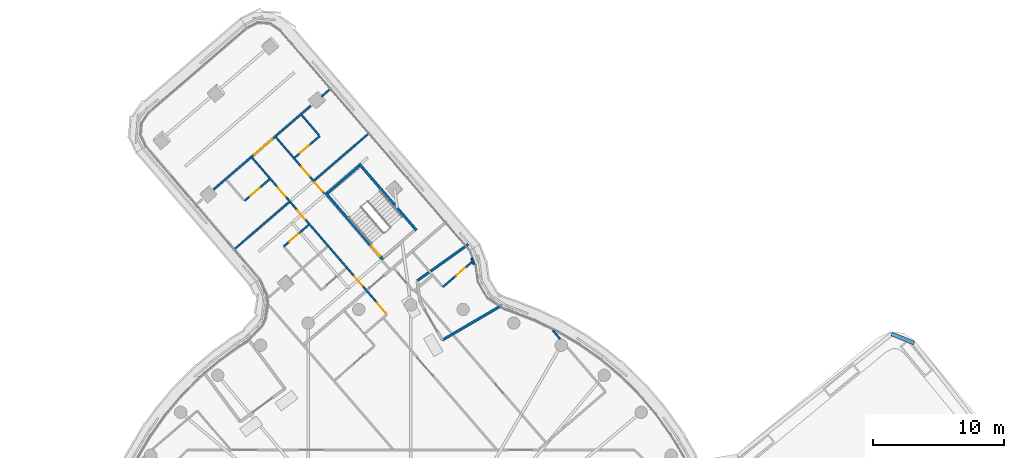
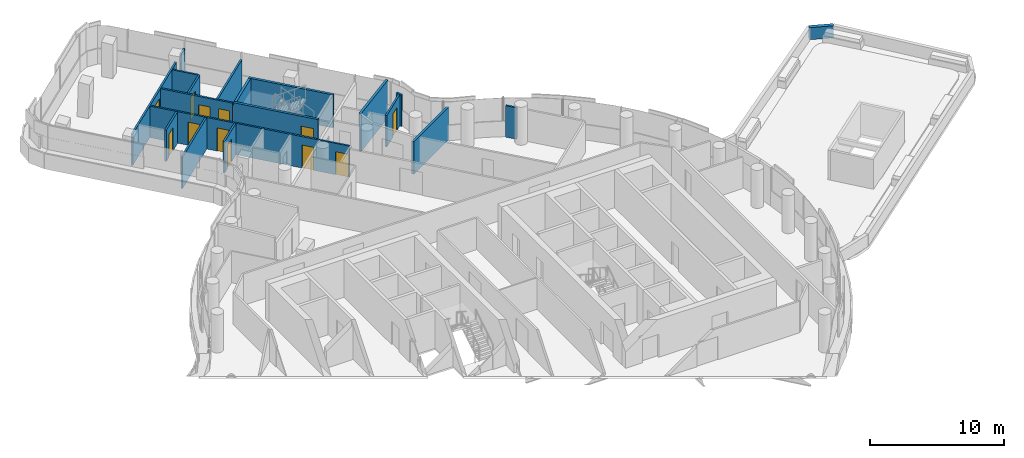
# One storey, part 26 of 34: 19 walls, 12 doors, 12 openings.
"""IFC4 building model written with IfcOpenShell, lengths in metres."""

from ifc_helpers import new_model, si_unit, direction, frame, frame_2d, origin, place, context, subcontext, project, spatial, polyline, rectangle, outline, extrude, material, layer, layer_set, type_object, element, fill, save


model = new_model("IFC4")

# Units and contexts
model_context = context("Model", 3, precision=1e-05, world=origin(), true_north=direction((0.0, 1.0)))
body_context = subcontext(model_context, "Body", "Model", "MODEL_VIEW")
ifc_project = project(units=[si_unit("LENGTHUNIT", "METRE"), si_unit("AREAUNIT", "SQUARE_METRE"), si_unit("VOLUMEUNIT", "CUBIC_METRE"), si_unit("PLANEANGLEUNIT", "RADIAN"), si_unit("MASSUNIT", "GRAM", prefix="KILO")], contexts=[model_context])

# Site, building, storey
site_placement = place(None, origin())
site = spatial("IfcSite", under=ifc_project, at=site_placement, CompositionType="ELEMENT")
building_placement = place(site_placement, origin())
building = spatial("IfcBuilding", under=site, at=building_placement, Name="Tamarind Cross Interchange Tower", CompositionType="ELEMENT")
storey_placement = place(building_placement, frame((0.0, 0.0, 182.5)))
storey = spatial("IfcBuildingStorey", under=building, at=storey_placement, Name="L45", CompositionType="ELEMENT", Elevation=182.5)

# Walls
ifc_material_1 = material(Name="Concrete C40", Category="concrete")
ifc_layer_1 = layer(ifc_material_1, 0.199951171875)
ifc_layer_set_1 = layer_set([ifc_layer_1], Name="Concrete C40")
wall_type_1 = type_object("IfcWallType", Name="Balcony and garden door wall", PredefinedType="SOLIDWALL", material=ifc_layer_set_1)
wall_1_placement = place(storey_placement, frame((2.411376953125, 20.3115234375, 0.0), z_axis=(0.0, 0.0, 1.0), x_axis=(0.863468462435, 0.504402829472, 0.0)))
element("IfcWall", 1, at=wall_1_placement, inside=storey, type_object=wall_type_1, Name="EXW-L45-WG-L45-SNb-R0", PredefinedType="SOLIDWALL", context=body_context, shape_type="SweptSolid", body=[
    extrude(rectangle(XDim=5.251220703125, YDim=0.199951171875, at=frame_2d((2.62548828125, 0.0))), origin(), (0.0, 0.0, 1.0), 2.964111328125),
])
wall_2_placement = place(storey_placement, frame((0.481689453125, 24.84423828125, 0.0), z_axis=(0.0, 0.0, 1.0), x_axis=(0.813929369959, 0.580963837702, 0.0)))
element("IfcWall", 2, at=wall_2_placement, inside=storey, type_object=wall_type_1, Name="EXW-L45-WG-L45-SNb-R2", PredefinedType="SOLIDWALL", context=body_context, shape_type="SweptSolid", body=[
    extrude(rectangle(XDim=4.798583984375, YDim=0.199951171875, at=frame_2d((2.3994140625, 0.0))), origin(), (0.0, 0.0, 1.0), 3.4599609375),
])
ifc_layer_2 = layer(ifc_material_1, 0.300048828125)
ifc_layer_set_2 = layer_set([ifc_layer_2], Name="Concrete C40")
wall_type_2 = type_object("IfcWallType", Name="Parapet upstand", PredefinedType="PARAPET", material=ifc_layer_set_2)
wall_3_placement = place(storey_placement, frame((38.49365234375, 20.086181640625, 0.0), z_axis=(0.0, 0.0, 1.0), x_axis=(-0.927562644804, 0.373667686539, 0.0)))
element("IfcWall", 3, at=wall_3_placement, inside=storey, type_object=wall_type_2, Name="EXW-L45-PRTE0-04", PredefinedType="PARAPET", context=body_context, shape_type="SweptSolid", body=[
    extrude(rectangle(XDim=1.84765625, YDim=0.300048828125, at=frame_2d((0.923828125, 0.0))), origin(), (0.0, 0.0, 1.0), 1.10009765625),
])

# Wall, openings, doors
ifc_material_2 = material(Name="Gypsum board partition on steel studs", Category="steel")
ifc_layer_3 = layer(ifc_material_2, 0.14990234375)
ifc_layer_set_3 = layer_set([ifc_layer_3], Name="Gypsum board partition on steel studs")
wall_type_3 = type_object("IfcWallType", Name="Partition 150 mm EI 120", PredefinedType="PARTITIONING", material=ifc_layer_set_3)
wall_4_placement = place(storey_placement, frame((-12.148681640625, 34.262451171875, 0.0), z_axis=(0.0, 0.0, 1.0), x_axis=(0.652651241908, -0.75765846952, 0.0)))
wall_4 = element("IfcWall", 4, at=wall_4_placement, inside=storey, type_object=wall_type_3, Name="Partition L45-020", PredefinedType="PARTITIONING", context=body_context, shape_type="SweptSolid", body=[
    extrude(rectangle(XDim=15.744873046875, YDim=0.14990234375, at=frame_2d((7.87255859375, 0.0))), origin(), (0.0, 0.0, 1.0), 2.864013671875),
])
opening_1_placement = place(wall_4_placement, frame((14.669921875, 0.0, 0.0)))
opening_1 = element("IfcOpeningElement", 5, at=opening_1_placement, cuts=wall_4, Name="Opening D08", PredefinedType="OPENING", context=body_context, shape_type="SweptSolid", body=[
    extrude(rectangle(XDim=1.0, YDim=2.10009765625, at=frame_2d((0.5, 1.050048828125))), frame((0.0, 0.0849609375, 0.0), z_axis=(0.0, -1.0, 0.0), x_axis=(1.0, 0.0, 0.0)), (0.0, 0.0, 1.0), 0.169921875),
])
opening_2_placement = place(wall_4_placement, frame((12.01953125, 0.0, 0.0)))
opening_2 = element("IfcOpeningElement", 6, at=opening_2_placement, cuts=wall_4, Name="Opening D09", PredefinedType="OPENING", context=body_context, shape_type="SweptSolid", body=[
    extrude(rectangle(XDim=0.89990234375, YDim=2.10009765625, at=frame_2d((0.449951171875, 1.050048828125))), frame((0.0, 0.0849609375, 0.0), z_axis=(0.0, -1.0, 0.0), x_axis=(1.0, 0.0, 0.0)), (0.0, 0.0, 1.0), 0.169921875),
])
opening_3_placement = place(wall_4_placement, frame((5.319580078125, 0.0, 0.0)))
opening_3 = element("IfcOpeningElement", 7, at=opening_3_placement, cuts=wall_4, Name="Opening D10", PredefinedType="OPENING", context=body_context, shape_type="SweptSolid", body=[
    extrude(rectangle(XDim=0.89990234375, YDim=2.10009765625, at=frame_2d((0.449951171875, 1.050048828125))), frame((0.0, 0.0849609375, 0.0), z_axis=(0.0, -1.0, 0.0), x_axis=(1.0, 0.0, 0.0)), (0.0, 0.0, 1.0), 0.169921875),
])
opening_4_placement = place(wall_4_placement, frame((3.020263671875, 0.0, 0.0)))
opening_4 = element("IfcOpeningElement", 8, at=opening_4_placement, cuts=wall_4, Name="Opening D11", PredefinedType="OPENING", context=body_context, shape_type="SweptSolid", body=[
    extrude(rectangle(XDim=0.89990234375, YDim=2.10009765625, at=frame_2d((0.449951171875, 1.050048828125))), frame((0.0, 0.0849609375, 0.0), z_axis=(0.0, -1.0, 0.0), x_axis=(1.0, 0.0, 0.0)), (0.0, 0.0, 1.0), 0.169921875),
])
ifc_material_3 = material(Name="Fire-resisting door set")
door_type_1 = type_object("IfcDoorType", Name="Interior door 1000 x 2100 FD60S", OperationType="SINGLE_SWING_LEFT", PredefinedType="DOOR", material=ifc_material_3)
door_1_placement = place(opening_1_placement, frame((1.0, 0.0, 0.0), z_axis=(0.0, 0.0, 1.0), x_axis=(-1.0, 0.0, 0.0)))
door_1 = element("IfcDoor", 9, at=door_1_placement, inside=storey, type_object=door_type_1, Name="Door D08", OperationType="SINGLE_SWING_RIGHT", OverallHeight=2.10009765625, OverallWidth=1.0, PredefinedType="DOOR", context=body_context, shape_type="SweptSolid", body=[
    extrude(rectangle(XDim=1.0, YDim=2.10009765625, at=frame_2d((0.5, 1.050048828125))), frame((0.0, 0.02490234375, 0.0), z_axis=(0.0, -1.0, 0.0), x_axis=(1.0, 0.0, 0.0)), (0.0, 0.0, 1.0), 0.050048828125),
])
fill(opening_1, door_1)
door_type_2 = type_object("IfcDoorType", Name="Interior door 900 x 2100 FD60S", OperationType="SINGLE_SWING_LEFT", PredefinedType="DOOR", material=ifc_material_3)
door_2_placement = place(opening_2_placement, frame((0.89990234375, 0.0, 0.0), z_axis=(0.0, 0.0, 1.0), x_axis=(-1.0, 0.0, 0.0)))
door_2 = element("IfcDoor", 10, at=door_2_placement, inside=storey, type_object=door_type_2, Name="Door D09", OperationType="SINGLE_SWING_RIGHT", OverallHeight=2.10009765625, OverallWidth=0.89990234375, PredefinedType="DOOR", context=body_context, shape_type="SweptSolid", body=[
    extrude(rectangle(XDim=0.89990234375, YDim=2.10009765625, at=frame_2d((0.449951171875, 1.050048828125))), frame((0.0, 0.02490234375, 0.0), z_axis=(0.0, -1.0, 0.0), x_axis=(1.0, 0.0, 0.0)), (0.0, 0.0, 1.0), 0.050048828125),
])
fill(opening_2, door_2)
door_3_placement = place(opening_3_placement, frame((0.89990234375, 0.0, 0.0), z_axis=(0.0, 0.0, 1.0), x_axis=(-1.0, 0.0, 0.0)))
door_3 = element("IfcDoor", 11, at=door_3_placement, inside=storey, type_object=door_type_2, Name="Door D10", OperationType="SINGLE_SWING_LEFT", OverallHeight=2.10009765625, OverallWidth=0.89990234375, PredefinedType="DOOR", context=body_context, shape_type="SweptSolid", body=[
    extrude(rectangle(XDim=0.89990234375, YDim=2.10009765625, at=frame_2d((0.449951171875, 1.050048828125))), frame((0.0, 0.02490234375, 0.0), z_axis=(0.0, -1.0, 0.0), x_axis=(1.0, 0.0, 0.0)), (0.0, 0.0, 1.0), 0.050048828125),
])
fill(opening_3, door_3)
door_4_placement = place(opening_4_placement, frame((0.89990234375, 0.0, 0.0), z_axis=(0.0, 0.0, 1.0), x_axis=(-1.0, 0.0, 0.0)))
door_4 = element("IfcDoor", 12, at=door_4_placement, inside=storey, type_object=door_type_2, Name="Door D11", OperationType="SINGLE_SWING_LEFT", OverallHeight=2.10009765625, OverallWidth=0.89990234375, PredefinedType="DOOR", context=body_context, shape_type="SweptSolid", body=[
    extrude(rectangle(XDim=0.89990234375, YDim=2.10009765625, at=frame_2d((0.449951171875, 1.050048828125))), frame((0.0, 0.02490234375, 0.0), z_axis=(0.0, -1.0, 0.0), x_axis=(1.0, 0.0, 0.0)), (0.0, 0.0, 1.0), 0.050048828125),
])
fill(opening_4, door_4)

wall_5_placement = place(storey_placement, frame((-10.330810546875, 35.829345703125, 0.0), z_axis=(0.0, 0.0, 1.0), x_axis=(0.652721930007, -0.757597572652, 0.0)))
wall_5 = element("IfcWall", 13, at=wall_5_placement, inside=storey, type_object=wall_type_3, Name="Partition L45-022", PredefinedType="PARTITIONING", context=body_context, shape_type="SweptSolid", body=[
    extrude(rectangle(XDim=5.68017578125, YDim=0.14990234375, at=frame_2d((2.840087890625, 0.0))), origin(), (0.0, 0.0, 1.0), 2.864013671875),
])
opening_5_placement = place(wall_5_placement, frame((3.020263671875, 0.0, 0.0)))
opening_5 = element("IfcOpeningElement", 14, at=opening_5_placement, cuts=wall_5, Name="Opening D12", PredefinedType="OPENING", context=body_context, shape_type="SweptSolid", body=[
    extrude(rectangle(XDim=0.89990234375, YDim=2.10009765625, at=frame_2d((0.449951171875, 1.050048828125))), frame((0.0, 0.0849609375, 0.0), z_axis=(0.0, -1.0, 0.0), x_axis=(1.0, 0.0, 0.0)), (0.0, 0.0, 1.0), 0.169921875),
])
opening_6_placement = place(wall_5_placement, frame((4.569580078125, 0.0, 0.0)))
opening_6 = element("IfcOpeningElement", 15, at=opening_6_placement, cuts=wall_5, Name="Opening D13", PredefinedType="OPENING", context=body_context, shape_type="SweptSolid", body=[
    extrude(rectangle(XDim=0.89990234375, YDim=2.10009765625, at=frame_2d((0.449951171875, 1.050048828125))), frame((0.0, 0.0849609375, 0.0), z_axis=(0.0, -1.0, 0.0), x_axis=(1.0, 0.0, 0.0)), (0.0, 0.0, 1.0), 0.169921875),
])
door_5_placement = place(opening_5_placement, origin())
door_5 = element("IfcDoor", 16, at=door_5_placement, inside=storey, type_object=door_type_2, Name="Door D12", OperationType="SINGLE_SWING_LEFT", OverallHeight=2.10009765625, OverallWidth=0.89990234375, PredefinedType="DOOR", context=body_context, shape_type="SweptSolid", body=[
    extrude(rectangle(XDim=0.89990234375, YDim=2.10009765625, at=frame_2d((0.449951171875, 1.050048828125))), frame((0.0, 0.02490234375, 0.0), z_axis=(0.0, -1.0, 0.0), x_axis=(1.0, 0.0, 0.0)), (0.0, 0.0, 1.0), 0.050048828125),
])
fill(opening_5, door_5)
door_6_placement = place(opening_6_placement, origin())
door_6 = element("IfcDoor", 17, at=door_6_placement, inside=storey, type_object=door_type_2, Name="Door D13", OperationType="SINGLE_SWING_LEFT", OverallHeight=2.10009765625, OverallWidth=0.89990234375, PredefinedType="DOOR", context=body_context, shape_type="SweptSolid", body=[
    extrude(rectangle(XDim=0.89990234375, YDim=2.10009765625, at=frame_2d((0.449951171875, 1.050048828125))), frame((0.0, 0.02490234375, 0.0), z_axis=(0.0, -1.0, 0.0), x_axis=(1.0, 0.0, 0.0)), (0.0, 0.0, 1.0), 0.050048828125),
])
fill(opening_6, door_6)

# Walls
wall_6_placement = place(storey_placement, frame((-8.36083984375, 37.5263671875, 0.0), z_axis=(0.0, 0.0, 1.0), x_axis=(0.652696376995, -0.757619587562, 0.0)))
element("IfcWall", 18, at=wall_6_placement, inside=storey, type_object=wall_type_3, Name="Partition L45-025", PredefinedType="PARTITIONING", context=body_context, shape_type="SweptSolid", body=[
    extrude(rectangle(XDim=2.04541015625, YDim=0.14990234375, at=frame_2d((1.022705078125, 0.0))), origin(), (0.0, 0.0, 1.0), 2.864013671875),
])
wall_7_placement = place(storey_placement, frame((10.849365234375, 21.051513671875, 0.0), z_axis=(0.0, 0.0, 1.0), x_axis=(0.652545214722, -0.757749789009, 0.0)))
element("IfcWall", 19, at=wall_7_placement, inside=storey, type_object=wall_type_3, Name="Partition L45-038", PredefinedType="PARTITIONING", context=body_context, shape_type="SweptSolid", body=[
    extrude(rectangle(XDim=0.8818359375, YDim=0.14990234375, at=frame_2d((0.44091796875, 0.0))), origin(), (0.0, 0.0, 1.0), 2.864013671875),
])

# Wall, opening, door
wall_8_placement = place(storey_placement, frame((-15.17724609375, 31.759033203125, 0.0), z_axis=(0.0, 0.0, 1.0), x_axis=(0.757593369708, 0.652726808224, 0.0)))
wall_8 = element("IfcWall", 20, at=wall_8_placement, inside=storey, type_object=wall_type_3, Name="Partition L45-062", PredefinedType="PARTITIONING", context=body_context, shape_type="SweptSolid", body=[
    extrude(rectangle(XDim=9.94091796875, YDim=0.14990234375, at=frame_2d((4.970458984375, 0.0))), origin(), (0.0, 0.0, 1.0), 2.864013671875),
])
opening_7_placement = place(wall_8_placement, frame((4.228515625, 0.0, 0.0)))
opening_7 = element("IfcOpeningElement", 21, at=opening_7_placement, cuts=wall_8, Name="Opening D36", PredefinedType="OPENING", context=body_context, shape_type="SweptSolid", body=[
    extrude(rectangle(XDim=1.800048828125, YDim=2.10009765625, at=frame_2d((0.89990234375, 1.050048828125))), frame((0.0, 0.0849609375, 0.0), z_axis=(0.0, -1.0, 0.0), x_axis=(1.0, 0.0, 0.0)), (0.0, 0.0, 1.0), 0.169921875),
])
door_type_3 = type_object("IfcDoorType", Name="Interior door 1800 x 2100 FD60S", OperationType="DOUBLE_DOOR_SINGLE_SWING", PredefinedType="DOOR", material=ifc_material_3)
door_7_placement = place(opening_7_placement, origin())
door_7 = element("IfcDoor", 22, at=door_7_placement, inside=storey, type_object=door_type_3, Name="Door D36", OperationType="DOUBLE_DOOR_SINGLE_SWING", OverallHeight=2.10009765625, OverallWidth=1.800048828125, PredefinedType="DOOR", context=body_context, shape_type="SweptSolid", body=[
    extrude(rectangle(XDim=1.800048828125, YDim=2.10009765625, at=frame_2d((0.89990234375, 1.050048828125))), frame((0.0, 0.02490234375, 0.0), z_axis=(0.0, -1.0, 0.0), x_axis=(1.0, 0.0, 0.0)), (0.0, 0.0, 1.0), 0.050048828125),
])
fill(opening_7, door_7)

# Walls
wall_9_placement = place(storey_placement, frame((-6.8388671875, 38.943359375, 0.0), z_axis=(0.0, 0.0, 1.0), x_axis=(0.757658475541, 0.652651234918, 0.0)))
element("IfcWall", 23, at=wall_9_placement, inside=storey, type_object=wall_type_3, Name="Partition L45-063", PredefinedType="PARTITIONING", context=body_context, shape_type="SweptSolid", body=[
    extrude(rectangle(XDim=0.82080078125, YDim=0.14990234375, at=frame_2d((0.410400390625, 0.0))), origin(), (0.0, 0.0, 1.0), 2.864013671875),
])
wall_10_placement = place(storey_placement, frame((-13.45458984375, 27.303466796875, 0.0), z_axis=(0.0, 0.0, 1.0), x_axis=(0.757581773841, 0.652740266832, 0.0)))
element("IfcWall", 24, at=wall_10_placement, inside=storey, type_object=wall_type_3, Name="Partition L45-065", PredefinedType="PARTITIONING", context=body_context, shape_type="SweptSolid", body=[
    extrude(rectangle(XDim=5.451416015625, YDim=0.14990234375, at=frame_2d((2.7255859375, 0.0))), origin(), (0.0, 0.0, 1.0), 2.864013671875),
])
wall_11_placement = place(storey_placement, frame((-7.385009765625, 32.532958984375, 0.0), z_axis=(0.0, 0.0, 1.0), x_axis=(0.757581269408, 0.652740852286, 0.0)))
element("IfcWall", 25, at=wall_11_placement, inside=storey, type_object=wall_type_3, Name="Partition L45-066", PredefinedType="PARTITIONING", context=body_context, shape_type="SweptSolid", body=[
    extrude(rectangle(XDim=5.4189453125, YDim=0.14990234375, at=frame_2d((2.70947265625, 0.0))), origin(), (0.0, 0.0, 1.0), 2.864013671875),
])

# Wall, opening, door
wall_12_placement = place(storey_placement, frame((-12.735107421875, 30.958984375, 0.0), z_axis=(0.0, 0.0, 1.0), x_axis=(0.757661014591, 0.652648287341, 0.0)))
wall_12 = element("IfcWall", 26, at=wall_12_placement, inside=storey, type_object=wall_type_3, Name="Partition L45-067", PredefinedType="PARTITIONING", context=body_context, shape_type="SweptSolid", body=[
    extrude(rectangle(XDim=2.520263671875, YDim=0.14990234375, at=frame_2d((1.26025390625, 0.0))), origin(), (0.0, 0.0, 1.0), 2.864013671875),
])
opening_8_placement = place(wall_12_placement, frame((0.60009765625, 0.0, 0.0)))
opening_8 = element("IfcOpeningElement", 27, at=opening_8_placement, cuts=wall_12, Name="Opening D37", PredefinedType="OPENING", context=body_context, shape_type="SweptSolid", body=[
    extrude(rectangle(XDim=0.89990234375, YDim=2.10009765625, at=frame_2d((0.449951171875, 1.050048828125))), frame((0.0, 0.0849609375, 0.0), z_axis=(0.0, -1.0, 0.0), x_axis=(1.0, 0.0, 0.0)), (0.0, 0.0, 1.0), 0.169921875),
])
door_8_placement = place(opening_8_placement, origin())
door_8 = element("IfcDoor", 28, at=door_8_placement, inside=storey, type_object=door_type_2, Name="Door D37", OperationType="SINGLE_SWING_RIGHT", OverallHeight=2.10009765625, OverallWidth=0.89990234375, PredefinedType="DOOR", context=body_context, shape_type="SweptSolid", body=[
    extrude(rectangle(XDim=0.89990234375, YDim=2.10009765625, at=frame_2d((0.449951171875, 1.050048828125))), frame((0.0, 0.02490234375, 0.0), z_axis=(0.0, -1.0, 0.0), x_axis=(1.0, 0.0, 0.0)), (0.0, 0.0, 1.0), 0.050048828125),
])
fill(opening_8, door_8)

wall_13_placement = place(storey_placement, frame((-8.885986328125, 34.274658203125, 0.0), z_axis=(0.0, 0.0, 1.0), x_axis=(0.757661014591, 0.652648287341, 0.0)))
wall_13 = element("IfcWall", 29, at=wall_13_placement, inside=storey, type_object=wall_type_3, Name="Partition L45-068", PredefinedType="PARTITIONING", context=body_context, shape_type="SweptSolid", body=[
    extrude(rectangle(XDim=2.520263671875, YDim=0.14990234375, at=frame_2d((1.26025390625, 0.0))), origin(), (0.0, 0.0, 1.0), 2.864013671875),
])
opening_9_placement = place(wall_13_placement, frame((0.52001953125, 0.0, 0.0)))
opening_9 = element("IfcOpeningElement", 30, at=opening_9_placement, cuts=wall_13, Name="Opening D38", PredefinedType="OPENING", context=body_context, shape_type="SweptSolid", body=[
    extrude(rectangle(XDim=0.89990234375, YDim=2.10009765625, at=frame_2d((0.449951171875, 1.050048828125))), frame((0.0, 0.0849609375, 0.0), z_axis=(0.0, -1.0, 0.0), x_axis=(1.0, 0.0, 0.0)), (0.0, 0.0, 1.0), 0.169921875),
])
door_9_placement = place(opening_9_placement, origin())
door_9 = element("IfcDoor", 31, at=door_9_placement, inside=storey, type_object=door_type_2, Name="Door D38", OperationType="SINGLE_SWING_RIGHT", OverallHeight=2.10009765625, OverallWidth=0.89990234375, PredefinedType="DOOR", context=body_context, shape_type="SweptSolid", body=[
    extrude(rectangle(XDim=0.89990234375, YDim=2.10009765625, at=frame_2d((0.449951171875, 1.050048828125))), frame((0.0, 0.02490234375, 0.0), z_axis=(0.0, -1.0, 0.0), x_axis=(1.0, 0.0, 0.0)), (0.0, 0.0, 1.0), 0.050048828125),
])
fill(opening_9, door_9)

wall_14_placement = place(storey_placement, frame((-9.73193359375, 27.47412109375, 0.0), z_axis=(0.0, 0.0, 1.0), x_axis=(0.757495885979, 0.652839936528, 0.0)))
wall_14 = element("IfcWall", 32, at=wall_14_placement, inside=storey, type_object=wall_type_3, Name="Partition L45-071", PredefinedType="PARTITIONING", context=body_context, shape_type="SweptSolid", body=[
    extrude(rectangle(XDim=2.51953125, YDim=0.14990234375, at=frame_2d((1.259765625, 0.0))), origin(), (0.0, 0.0, 1.0), 2.864013671875),
])
opening_10_placement = place(wall_14_placement, frame((0.60009765625, 0.0, 0.0)))
opening_10 = element("IfcOpeningElement", 33, at=opening_10_placement, cuts=wall_14, Name="Opening D39", PredefinedType="OPENING", context=body_context, shape_type="SweptSolid", body=[
    extrude(rectangle(XDim=0.89990234375, YDim=2.10009765625, at=frame_2d((0.449951171875, 1.050048828125))), frame((0.0, 0.0849609375, 0.0), z_axis=(0.0, -1.0, 0.0), x_axis=(1.0, 0.0, 0.0)), (0.0, 0.0, 1.0), 0.169921875),
])
door_10_placement = place(opening_10_placement, frame((0.89990234375, 0.0, 0.0), z_axis=(0.0, 0.0, 1.0), x_axis=(-1.0, 0.0, 0.0)))
door_10 = element("IfcDoor", 34, at=door_10_placement, inside=storey, type_object=door_type_2, Name="Door D39", OperationType="SINGLE_SWING_LEFT", OverallHeight=2.10009765625, OverallWidth=0.89990234375, PredefinedType="DOOR", context=body_context, shape_type="SweptSolid", body=[
    extrude(rectangle(XDim=0.89990234375, YDim=2.10009765625, at=frame_2d((0.449951171875, 1.050048828125))), frame((0.0, 0.02490234375, 0.0), z_axis=(0.0, -1.0, 0.0), x_axis=(1.0, 0.0, 0.0)), (0.0, 0.0, 1.0), 0.050048828125),
])
fill(opening_10, door_10)

wall_15_placement = place(storey_placement, frame((2.4453125, 24.37060546875, 0.0), z_axis=(0.0, 0.0, 1.0), x_axis=(0.757626487429, 0.652688367865, 0.0)))
wall_15 = element("IfcWall", 35, at=wall_15_placement, inside=storey, type_object=wall_type_3, Name="Partition L45-075", PredefinedType="PARTITIONING", context=body_context, shape_type="SweptSolid", body=[
    extrude(rectangle(XDim=2.922119140625, YDim=0.14990234375, at=frame_2d((1.4609375, 0.0))), origin(), (0.0, 0.0, 1.0), 2.864013671875),
])
opening_11_placement = place(wall_15_placement, frame((1.35009765625, 0.0, 0.0)))
opening_11 = element("IfcOpeningElement", 36, at=opening_11_placement, cuts=wall_15, Name="Opening D43", PredefinedType="OPENING", context=body_context, shape_type="SweptSolid", body=[
    extrude(rectangle(XDim=0.89990234375, YDim=2.10009765625, at=frame_2d((0.449951171875, 1.050048828125))), frame((0.0, 0.0849609375, 0.0), z_axis=(0.0, -1.0, 0.0), x_axis=(1.0, 0.0, 0.0)), (0.0, 0.0, 1.0), 0.169921875),
])
door_11_placement = place(opening_11_placement, origin())
door_11 = element("IfcDoor", 37, at=door_11_placement, inside=storey, type_object=door_type_2, Name="Door D43", OperationType="SINGLE_SWING_LEFT", OverallHeight=2.10009765625, OverallWidth=0.89990234375, PredefinedType="DOOR", context=body_context, shape_type="SweptSolid", body=[
    extrude(rectangle(XDim=0.89990234375, YDim=2.10009765625, at=frame_2d((0.449951171875, 1.050048828125))), frame((0.0, 0.02490234375, 0.0), z_axis=(0.0, -1.0, 0.0), x_axis=(1.0, 0.0, 0.0)), (0.0, 0.0, 1.0), 0.050048828125),
])
fill(opening_11, door_11)

# Wall
wall_16_placement = place(storey_placement, frame((4.822509765625, 26.107421875, 0.0), z_axis=(0.0, 0.0, 1.0), x_axis=(-0.366332317137, 0.930484085528, 0.0)))
element("IfcWall", 38, at=wall_16_placement, inside=storey, type_object=wall_type_3, Name="Partition L45-095", PredefinedType="PARTITIONING", context=body_context, shape_type="SweptSolid", body=[
    extrude(rectangle(XDim=0.499755859375, YDim=0.14990234375, at=frame_2d((0.25, 0.0))), origin(), (0.0, 0.0, 1.0), 2.864013671875),
])

# Wall, opening, door
ifc_layer_4 = layer(ifc_material_1, 0.199951171875)
ifc_layer_set_4 = layer_set([ifc_layer_4], Name="Concrete C40")
wall_type_4 = type_object("IfcWallType", Name="Stair shaft wall 200 mm Concrete C40", PredefinedType="SHEAR", material=ifc_layer_set_4)
wall_17_placement = place(storey_placement, frame((-2.148193359375, 26.485107421875, -0.139892578125), z_axis=(0.0, 0.0, 1.0), x_axis=(-0.6527428112, 0.75757958158, 0.0)))
wall_17 = element("IfcWall", 39, at=wall_17_placement, inside=storey, type_object=wall_type_4, Name="Core wall CWL-L45-ST4-H", PredefinedType="SHEAR", context=body_context, shape_type="SweptSolid", body=[
    extrude(rectangle(XDim=6.699951171875, YDim=0.199951171875, at=frame_2d((3.35009765625, 0.0))), origin(), (0.0, 0.0, 1.0), 3.00390625),
])
opening_12_placement = place(wall_17_placement, frame((0.35009765625, 0.0, 0.0)))
opening_12 = element("IfcOpeningElement", 40, at=opening_12_placement, cuts=wall_17, Name="Opening ST4L45", PredefinedType="OPENING", context=body_context, shape_type="SweptSolid", body=[
    extrude(rectangle(XDim=1.0, YDim=2.10009765625, at=frame_2d((0.5, 1.050048828125))), frame((0.0, 0.10986328125, 0.0), z_axis=(0.0, -1.0, 0.0), x_axis=(1.0, 0.0, 0.0)), (0.0, 0.0, 1.0), 0.219970703125),
])
ifc_material_4 = material(Name="Steel, fire-resisting", Category="steel")
door_type_4 = type_object("IfcDoorType", Name="Core fire door 1000 x 2100 FD90", OperationType="SINGLE_SWING_LEFT", PredefinedType="DOOR", material=ifc_material_4)
door_12_placement = place(opening_12_placement, origin())
door_12 = element("IfcDoor", 41, at=door_12_placement, inside=storey, type_object=door_type_4, Name="L45 stair door ST4", OperationType="SINGLE_SWING_LEFT", OverallHeight=2.10009765625, OverallWidth=1.0, PredefinedType="DOOR", context=body_context, shape_type="SweptSolid", body=[
    extrude(rectangle(XDim=1.0, YDim=2.10009765625, at=frame_2d((0.5, 1.050048828125))), frame((0.0, 0.02490234375, 0.0), z_axis=(0.0, -1.0, 0.0), x_axis=(1.0, 0.0, 0.0)), (0.0, 0.0, 1.0), 0.050048828125),
])
fill(opening_12, door_12)

# Walls
wall_18_placement = place(storey_placement, frame((0.427490234375, 28.704345703125, -0.139892578125), z_axis=(0.0, 0.0, 1.0), x_axis=(-0.652703877257, 0.757613125952, 0.0)))
element("IfcWall", 42, at=wall_18_placement, inside=storey, type_object=wall_type_4, Name="Core wall CWL-L45-ST4-C", PredefinedType="SHEAR", context=body_context, shape_type="SweptSolid", body=[
    extrude(rectangle(XDim=6.699951171875, YDim=0.199951171875, at=frame_2d((3.35009765625, 0.0))), origin(), (0.0, 0.0, 1.0), 3.00390625),
])
wall_19_placement = place(storey_placement, frame((0.0, 0.0, -0.139892578125)))
element("IfcWall", 43, at=wall_19_placement, inside=storey, type_object=wall_type_4, Name="Core wall CWL-L45-ST4-CF", PredefinedType="SHEAR", context=body_context, shape_type="SweptSolid", body=[
    extrude(outline(polyline([(-3.890869140625, 33.5634765625), (-4.021484375, 33.71484375), (-6.44580078125, 31.626220703125), (-6.315185546875, 31.474609375), (-3.890869140625, 33.5634765625)])), origin(), (0.0, 0.0, 1.0), 3.00390625),
])

save(model, "model.ifc")
